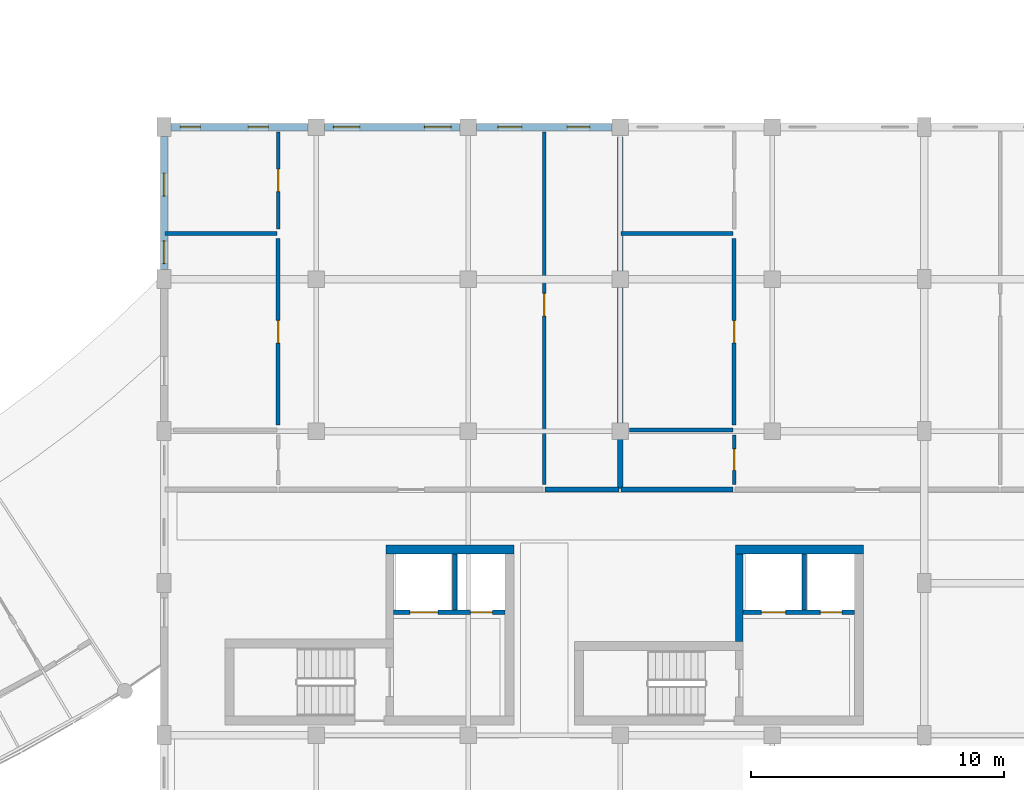
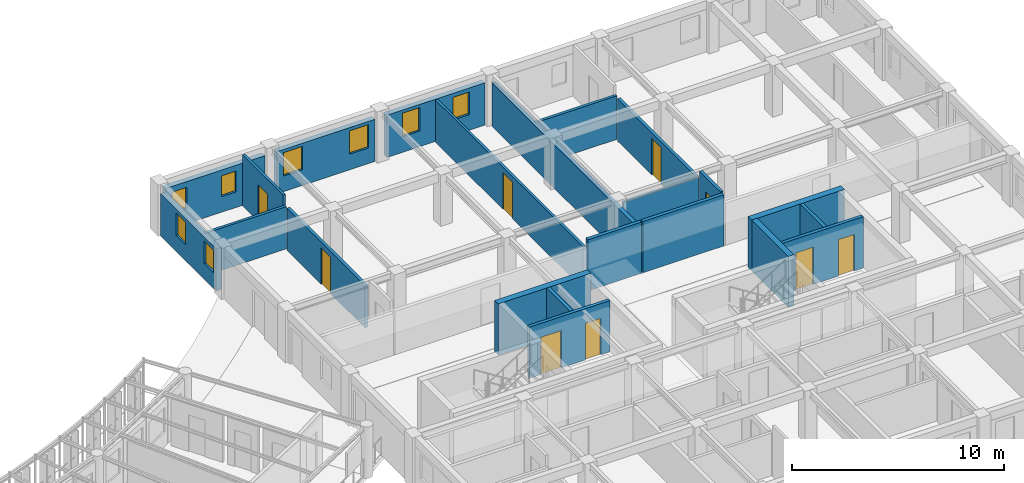
# One storey, part 65 of 100: 22 walls, 9 doors, 8 windows, 17 openings.
"""IFC4 building model written with IfcOpenShell, lengths in metres."""

from ifc_helpers import new_model, si_unit, direction, frame, frame_2d, origin, place, context, subcontext, project, spatial, rectangle, extrude, material, layer, layer_set, type_object, element, fill, save


model = new_model("IFC4")

# Units and contexts
model_context = context("Model", 3, precision=1e-05, world=origin(), true_north=direction((0.0, 1.0)))
body_context = subcontext(model_context, "Body", "Model", "MODEL_VIEW")
ifc_project = project(units=[si_unit("LENGTHUNIT", "METRE"), si_unit("AREAUNIT", "SQUARE_METRE"), si_unit("VOLUMEUNIT", "CUBIC_METRE"), si_unit("PLANEANGLEUNIT", "RADIAN"), si_unit("MASSUNIT", "GRAM", prefix="KILO"), si_unit("POWERUNIT", "WATT"), si_unit("THERMODYNAMICTEMPERATUREUNIT", "KELVIN")], contexts=[model_context])

# Site, building, storey
site_placement = place(None, origin())
site = spatial("IfcSite", under=ifc_project, at=site_placement, CompositionType="ELEMENT")
building_placement = place(site_placement, origin())
building = spatial("IfcBuilding", under=site, at=building_placement, Name="Ruvembo Vaulted Housing Court", CompositionType="ELEMENT")
storey_placement = place(building_placement, frame((0.0, 0.0, 14.10009765625)))
storey = spatial("IfcBuildingStorey", under=building, at=storey_placement, Name="L04", CompositionType="ELEMENT", Elevation=14.10009765625)

# Walls
ifc_material_1 = material(Name="Concrete C35/45", Category="concrete")
ifc_layer_1 = layer(ifc_material_1, 0.300048828125, Name="Concrete C35/45")
ifc_layer_set_1 = layer_set([ifc_layer_1], Name="Concrete C35/45")
wall_type_1 = type_object("IfcWallType", Name="WL-CORE-300", PredefinedType="SHEAR", material=ifc_layer_set_1)
wall_1_placement = place(storey_placement, frame((124.699951171875, 15.699951171875, 0.0), z_axis=(0.0, 0.0, 1.0), x_axis=(0.0, 1.0, 0.0)))
element("IfcWall", 1, at=wall_1_placement, inside=storey, type_object=wall_type_1, Name="Core C2 L04 Upper West Shear Wall", PredefinedType="SHEAR", context=body_context, shape_type="SweptSolid", body=[
    extrude(rectangle(XDim=3.449951171875, YDim=0.300048828125, at=frame_2d((1.72509765625, 0.0))), origin(), (0.0, 0.0, 1.0), 2.949951171875),
])
ifc_layer_2 = layer(ifc_material_1, 0.35009765625, Name="Concrete C35/45")
ifc_layer_set_2 = layer_set([ifc_layer_2], Name="Concrete C35/45")
wall_type_2 = type_object("IfcWallType", Name="WL-CORE-350", PredefinedType="SHEAR", material=ifc_layer_set_2)
for number, where, z_axis, x_axis, name in (
    (2, (115.800048828125, 19.324951171875, 0.0), (0.0, 0.0, 1.0), (-1.0, 0.0, 0.0), "Core C1 L04 North Shear Wall"),
    (3, (129.60009765625, 19.324951171875, 0.0), (0.0, 0.0, 1.0), (-1.0, 0.0, 0.0), "Core C2 L04 North Shear Wall"),
):
    element("IfcWall", number, at=place(storey_placement, frame(where, z_axis=z_axis, x_axis=x_axis)), inside=storey, type_object=wall_type_2, Name=name, PredefinedType="SHEAR", context=body_context, shape_type="SweptSolid", body=[
        extrude(rectangle(XDim=5.050048828125, YDim=0.35009765625, at=frame_2d((2.52490234375, 0.0))), origin(), (0.0, 0.0, 1.0), 2.949951171875),
    ])
ifc_material_2 = material(Name="Concrete Blockwork 190", Category="masonry")
ifc_layer_3 = layer(ifc_material_2, 0.18994140625, Name="Concrete Blockwork 190")
ifc_layer_set_3 = layer_set([ifc_layer_3], Name="Concrete Blockwork 190")
wall_type_3 = type_object("IfcWallType", Name="WL-CORR-190", PredefinedType="SOLIDWALL", material=ifc_layer_set_3)
wall_2_placement = place(storey_placement, frame((117.0400390625, 21.699951171875, 0.0), z_axis=(0.0, 0.0, 1.0), x_axis=(1.0, 0.0, 0.0)))
element("IfcWall", 4, at=wall_2_placement, inside=storey, type_object=wall_type_3, Name="L04 Flat C-L04-N1 Corridor Wall 2 WL-INT-L04-01226", PredefinedType="SOLIDWALL", context=body_context, shape_type="SweptSolid", body=[
    extrude(rectangle(XDim=2.919921875, YDim=0.18994140625, at=frame_2d((1.4599609375, 0.0))), origin(), (0.0, 0.0, 1.0), 2.949951171875),
])
wall_3_placement = place(storey_placement, frame((120.0400390625, 21.699951171875, 0.0), z_axis=(0.0, 0.0, 1.0), x_axis=(1.0, 0.0, 0.0)))
element("IfcWall", 5, at=wall_3_placement, inside=storey, type_object=wall_type_3, Name="L04 Flat C-L04-N2 Corridor Wall WL-INT-L04-01228", PredefinedType="SOLIDWALL", context=body_context, shape_type="SweptSolid", body=[
    extrude(rectangle(XDim=4.419921875, YDim=0.18994140625, at=frame_2d((2.2099609375, 0.0))), origin(), (0.0, 0.0, 1.0), 2.949951171875),
])
ifc_material_3 = material(Name="Acoustic Masonry Demising 220", Category="masonry")
ifc_layer_4 = layer(ifc_material_3, 0.219970703125, Name="Acoustic Masonry Demising 220")
ifc_layer_set_4 = layer_set([ifc_layer_4], Name="Acoustic Masonry Demising 220")
wall_type_4 = type_object("IfcWallType", Name="WL-DEM-200", PredefinedType="SOLIDWALL", material=ifc_layer_set_4)
wall_4_placement = place(storey_placement, frame((120.0, 21.739990234375, 0.0), z_axis=(0.0, 0.0, 1.0), x_axis=(0.0, 1.0, 0.0)))
element("IfcWall", 6, at=wall_4_placement, inside=storey, type_object=wall_type_4, Name="L04 Demising C-L04-N1 WL-INT-L04-01218", PredefinedType="SOLIDWALL", context=body_context, shape_type="SweptSolid", body=[
    extrude(rectangle(XDim=13.8701171875, YDim=0.219970703125, at=frame_2d((6.93505859375, 0.0))), origin(), (0.0, 0.0, 1.0), 2.5078125),
])

# Wall, openings, windows
ifc_material_4 = material(Name="Rendered Masonry 285", Category="masonry")
ifc_layer_5 = layer(ifc_material_4, 0.284912109375, Name="Rendered Masonry 285")
ifc_layer_set_5 = layer_set([ifc_layer_5], Name="Rendered Masonry 285")
wall_type_5 = type_object("IfcWallType", Name="WL-EXT-285", PredefinedType="STANDARD", material=ifc_layer_set_5)
wall_5_placement = place(storey_placement, frame((119.675048828125, 36.0, 0.0), z_axis=(0.0, 0.0, 1.0), x_axis=(-1.0, 0.0, 0.0)))
wall_5 = element("IfcWall", 7, at=wall_5_placement, inside=storey, type_object=wall_type_5, Name="Block C L04 Exterior Wall COURTYARD #4", PredefinedType="STANDARD", context=body_context, shape_type="SweptSolid", body=[
    extrude(rectangle(XDim=5.35009765625, YDim=0.284912109375, at=frame_2d((2.675048828125, 0.0))), origin(), (0.0, 0.0, 1.0), 2.431884765625),
])
opening_1_placement = place(wall_5_placement, frame((0.867431640625, 0.0, 0.89990234375)))
opening_1 = element("IfcOpeningElement", 8, at=opening_1_placement, cuts=wall_5, Name="Opening W04", PredefinedType="OPENING", context=body_context, shape_type="SweptSolid", body=[
    extrude(rectangle(XDim=0.89990234375, YDim=1.300048828125, at=frame_2d((0.449951171875, 0.64990234375))), frame((0.0, 0.15234375, 0.0), z_axis=(0.0, -1.0, 0.0), x_axis=(1.0, 0.0, 0.0)), (0.0, 0.0, 1.0), 0.304931640625),
])
opening_2_placement = place(wall_5_placement, frame((3.5576171875, 0.0, 0.89990234375)))
opening_2 = element("IfcOpeningElement", 9, at=opening_2_placement, cuts=wall_5, Name="Opening W07", PredefinedType="OPENING", context=body_context, shape_type="SweptSolid", body=[
    extrude(rectangle(XDim=0.949951171875, YDim=1.35009765625, at=frame_2d((0.47509765625, 0.675048828125))), frame((0.0, 0.15234375, 0.0), z_axis=(0.0, -1.0, 0.0), x_axis=(1.0, 0.0, 0.0)), (0.0, 0.0, 1.0), 0.304931640625),
])
ifc_material_5 = material(Name="Double Solar-Control Glazing in Aluminium Frame", Category="aluminium")
window_type_1 = type_object("IfcWindowType", Name="WIN-0900x1300", PartitioningType="SINGLE_PANEL", PredefinedType="WINDOW", material=ifc_material_5)
window_1_placement = place(opening_1_placement, origin())
window_1 = element("IfcWindow", 10, at=window_1_placement, inside=storey, type_object=window_type_1, Name="Block C L04 Window #1268", OverallHeight=1.300048828125, OverallWidth=0.89990234375, PartitioningType="SINGLE_PANEL", PredefinedType="WINDOW", context=body_context, shape_type="SweptSolid", body=[
    extrude(rectangle(XDim=0.89990234375, YDim=1.300048828125, at=frame_2d((0.449951171875, 0.64990234375))), frame((0.0, 0.030029296875, 0.0), z_axis=(0.0, -1.0, 0.0), x_axis=(1.0, 0.0, 0.0)), (0.0, 0.0, 1.0), 0.06005859375),
])
fill(opening_1, window_1)
window_type_2 = type_object("IfcWindowType", Name="WIN-0950x1350", PartitioningType="SINGLE_PANEL", PredefinedType="WINDOW", material=ifc_material_5)
window_2_placement = place(opening_2_placement, origin())
window_2 = element("IfcWindow", 11, at=window_2_placement, inside=storey, type_object=window_type_2, Name="Block C L04 Window #1269", OverallHeight=1.35009765625, OverallWidth=0.949951171875, PartitioningType="SINGLE_PANEL", PredefinedType="WINDOW", context=body_context, shape_type="SweptSolid", body=[
    extrude(rectangle(XDim=0.949951171875, YDim=1.35009765625, at=frame_2d((0.47509765625, 0.675048828125))), frame((0.0, 0.030029296875, 0.0), z_axis=(0.0, -1.0, 0.0), x_axis=(1.0, 0.0, 0.0)), (0.0, 0.0, 1.0), 0.06005859375),
])
fill(opening_2, window_2)

wall_6_placement = place(storey_placement, frame((113.675048828125, 36.0, 0.0), z_axis=(0.0, 0.0, 1.0), x_axis=(-1.0, 0.0, 0.0)))
wall_6 = element("IfcWall", 12, at=wall_6_placement, inside=storey, type_object=wall_type_5, Name="Block C L04 Exterior Wall COURTYARD #5", PredefinedType="STANDARD", context=body_context, shape_type="SweptSolid", body=[
    extrude(rectangle(XDim=5.35009765625, YDim=0.284912109375, at=frame_2d((2.675048828125, 0.0))), origin(), (0.0, 0.0, 1.0), 2.431884765625),
])
opening_3_placement = place(wall_6_placement, frame((0.35009765625, 0.0, 0.89990234375)))
opening_3 = element("IfcOpeningElement", 13, at=opening_3_placement, cuts=wall_6, Name="Opening W09", PredefinedType="OPENING", context=body_context, shape_type="SweptSolid", body=[
    extrude(rectangle(XDim=1.050048828125, YDim=1.35009765625, at=frame_2d((0.52490234375, 0.675048828125))), frame((0.0, 0.15234375, 0.0), z_axis=(0.0, -1.0, 0.0), x_axis=(1.0, 0.0, 0.0)), (0.0, 0.0, 1.0), 0.304931640625),
])
opening_4_placement = place(wall_6_placement, frame((3.949951171875, 0.0, 0.89990234375)))
opening_4 = element("IfcOpeningElement", 14, at=opening_4_placement, cuts=wall_6, Name="Opening W09", PredefinedType="OPENING", context=body_context, shape_type="SweptSolid", body=[
    extrude(rectangle(XDim=1.050048828125, YDim=1.35009765625, at=frame_2d((0.52490234375, 0.675048828125))), frame((0.0, 0.15234375, 0.0), z_axis=(0.0, -1.0, 0.0), x_axis=(1.0, 0.0, 0.0)), (0.0, 0.0, 1.0), 0.304931640625),
])
window_type_3 = type_object("IfcWindowType", Name="WIN-1050x1350", PartitioningType="SINGLE_PANEL", PredefinedType="WINDOW", material=ifc_material_5)
window_3_placement = place(opening_3_placement, origin())
window_3 = element("IfcWindow", 15, at=window_3_placement, inside=storey, type_object=window_type_3, Name="Block C L04 Window #1270", OverallHeight=1.35009765625, OverallWidth=1.050048828125, PartitioningType="SINGLE_PANEL", PredefinedType="WINDOW", context=body_context, shape_type="SweptSolid", body=[
    extrude(rectangle(XDim=1.050048828125, YDim=1.35009765625, at=frame_2d((0.52490234375, 0.675048828125))), frame((0.0, 0.030029296875, 0.0), z_axis=(0.0, -1.0, 0.0), x_axis=(1.0, 0.0, 0.0)), (0.0, 0.0, 1.0), 0.06005859375),
])
fill(opening_3, window_3)
window_4_placement = place(opening_4_placement, origin())
window_4 = element("IfcWindow", 16, at=window_4_placement, inside=storey, type_object=window_type_3, Name="Block C L04 Window #1271", OverallHeight=1.35009765625, OverallWidth=1.050048828125, PartitioningType="SINGLE_PANEL", PredefinedType="WINDOW", context=body_context, shape_type="SweptSolid", body=[
    extrude(rectangle(XDim=1.050048828125, YDim=1.35009765625, at=frame_2d((0.52490234375, 0.675048828125))), frame((0.0, 0.030029296875, 0.0), z_axis=(0.0, -1.0, 0.0), x_axis=(1.0, 0.0, 0.0)), (0.0, 0.0, 1.0), 0.06005859375),
])
fill(opening_4, window_4)

wall_7_placement = place(storey_placement, frame((107.675048828125, 36.0, 0.0), z_axis=(0.0, 0.0, 1.0), x_axis=(-1.0, 0.0, 0.0)))
wall_7 = element("IfcWall", 17, at=wall_7_placement, inside=storey, type_object=wall_type_5, Name="Block C L04 Exterior Wall COURTYARD #6", PredefinedType="STANDARD", context=body_context, shape_type="SweptSolid", body=[
    extrude(rectangle(XDim=5.400146484375, YDim=0.284912109375, at=frame_2d((2.7001953125, 0.0))), origin(), (0.0, 0.0, 1.0), 2.431884765625),
])
opening_5_placement = place(wall_7_placement, frame((1.56494140625, 0.0, 0.89990234375)))
opening_5 = element("IfcOpeningElement", 18, at=opening_5_placement, cuts=wall_7, Name="Opening W02", PredefinedType="OPENING", context=body_context, shape_type="SweptSolid", body=[
    extrude(rectangle(XDim=0.800048828125, YDim=1.199951171875, at=frame_2d((0.39990234375, 0.60009765625))), frame((0.0, 0.15234375, 0.0), z_axis=(0.0, -1.0, 0.0), x_axis=(1.0, 0.0, 0.0)), (0.0, 0.0, 1.0), 0.304931640625),
])
opening_6_placement = place(wall_7_placement, frame((4.25, 0.0, 0.89990234375)))
opening_6 = element("IfcOpeningElement", 19, at=opening_6_placement, cuts=wall_7, Name="Opening W02", PredefinedType="OPENING", context=body_context, shape_type="SweptSolid", body=[
    extrude(rectangle(XDim=0.800048828125, YDim=1.199951171875, at=frame_2d((0.39990234375, 0.60009765625))), frame((0.0, 0.15234375, 0.0), z_axis=(0.0, -1.0, 0.0), x_axis=(1.0, 0.0, 0.0)), (0.0, 0.0, 1.0), 0.304931640625),
])
window_type_4 = type_object("IfcWindowType", Name="WIN-0800x1200", PartitioningType="SINGLE_PANEL", PredefinedType="WINDOW", material=ifc_material_5)
window_5_placement = place(opening_5_placement, origin())
window_5 = element("IfcWindow", 20, at=window_5_placement, inside=storey, type_object=window_type_4, Name="Block C L04 Window #1272", OverallHeight=1.199951171875, OverallWidth=0.800048828125, PartitioningType="SINGLE_PANEL", PredefinedType="WINDOW", context=body_context, shape_type="SweptSolid", body=[
    extrude(rectangle(XDim=0.800048828125, YDim=1.199951171875, at=frame_2d((0.39990234375, 0.60009765625))), frame((0.0, 0.030029296875, 0.0), z_axis=(0.0, -1.0, 0.0), x_axis=(1.0, 0.0, 0.0)), (0.0, 0.0, 1.0), 0.06005859375),
])
fill(opening_5, window_5)
window_6_placement = place(opening_6_placement, origin())
window_6 = element("IfcWindow", 21, at=window_6_placement, inside=storey, type_object=window_type_4, Name="Block C L04 Window #1273", OverallHeight=1.199951171875, OverallWidth=0.800048828125, PartitioningType="SINGLE_PANEL", PredefinedType="WINDOW", context=body_context, shape_type="SweptSolid", body=[
    extrude(rectangle(XDim=0.800048828125, YDim=1.199951171875, at=frame_2d((0.39990234375, 0.60009765625))), frame((0.0, 0.030029296875, 0.0), z_axis=(0.0, -1.0, 0.0), x_axis=(1.0, 0.0, 0.0)), (0.0, 0.0, 1.0), 0.06005859375),
])
fill(opening_6, window_6)

wall_8_placement = place(storey_placement, frame((102.0, 35.625, 0.0), z_axis=(0.0, 0.0, 1.0), x_axis=(0.0, -1.0, 0.0)))
wall_8 = element("IfcWall", 22, at=wall_8_placement, inside=storey, type_object=wall_type_5, Name="Block C L04 Exterior Wall WEST #1", PredefinedType="STANDARD", context=body_context, shape_type="SweptSolid", body=[
    extrude(rectangle(XDim=5.25, YDim=0.284912109375, at=frame_2d((2.625, 0.0))), origin(), (0.0, 0.0, 1.0), 2.431884765625),
])
opening_7_placement = place(wall_8_placement, frame((1.4423828125, 0.0, 0.89990234375)))
opening_7 = element("IfcOpeningElement", 23, at=opening_7_placement, cuts=wall_8, Name="Opening W04", PredefinedType="OPENING", context=body_context, shape_type="SweptSolid", body=[
    extrude(rectangle(XDim=0.89990234375, YDim=1.300048828125, at=frame_2d((0.449951171875, 0.64990234375))), frame((0.0, 0.15234375, 0.0), z_axis=(0.0, -1.0, 0.0), x_axis=(1.0, 0.0, 0.0)), (0.0, 0.0, 1.0), 0.304931640625),
])
opening_8_placement = place(wall_8_placement, frame((4.107421875, 0.0, 0.89990234375)))
opening_8 = element("IfcOpeningElement", 24, at=opening_8_placement, cuts=wall_8, Name="Opening W04", PredefinedType="OPENING", context=body_context, shape_type="SweptSolid", body=[
    extrude(rectangle(XDim=0.89990234375, YDim=1.300048828125, at=frame_2d((0.449951171875, 0.64990234375))), frame((0.0, 0.15234375, 0.0), z_axis=(0.0, -1.0, 0.0), x_axis=(1.0, 0.0, 0.0)), (0.0, 0.0, 1.0), 0.304931640625),
])
window_7_placement = place(opening_7_placement, origin())
window_7 = element("IfcWindow", 25, at=window_7_placement, inside=storey, type_object=window_type_1, Name="Block C L04 Window #1274", OverallHeight=1.300048828125, OverallWidth=0.89990234375, PartitioningType="SINGLE_PANEL", PredefinedType="WINDOW", context=body_context, shape_type="SweptSolid", body=[
    extrude(rectangle(XDim=0.89990234375, YDim=1.300048828125, at=frame_2d((0.449951171875, 0.64990234375))), frame((0.0, 0.030029296875, 0.0), z_axis=(0.0, -1.0, 0.0), x_axis=(1.0, 0.0, 0.0)), (0.0, 0.0, 1.0), 0.06005859375),
])
fill(opening_7, window_7)
window_8_placement = place(opening_8_placement, origin())
window_8 = element("IfcWindow", 26, at=window_8_placement, inside=storey, type_object=window_type_1, Name="Block C L04 Window #1275", OverallHeight=1.300048828125, OverallWidth=0.89990234375, PartitioningType="SINGLE_PANEL", PredefinedType="WINDOW", context=body_context, shape_type="SweptSolid", body=[
    extrude(rectangle(XDim=0.89990234375, YDim=1.300048828125, at=frame_2d((0.449951171875, 0.64990234375))), frame((0.0, 0.030029296875, 0.0), z_axis=(0.0, -1.0, 0.0), x_axis=(1.0, 0.0, 0.0)), (0.0, 0.0, 1.0), 0.06005859375),
])
fill(opening_8, window_8)

# Wall, opening, door
ifc_material_6 = material(Name="Acoustic Stud Partition 135", Category="gypsum")
ifc_layer_6 = layer(ifc_material_6, 0.135009765625, Name="Acoustic Stud Partition 135")
ifc_layer_set_6 = layer_set([ifc_layer_6], Name="Acoustic Stud Partition 135")
wall_type_6 = type_object("IfcWallType", Name="WL-PART-135", PredefinedType="PARTITIONING", material=ifc_layer_set_6)
wall_9_placement = place(storey_placement, frame((106.5, 31.989990234375, 0.0), z_axis=(0.0, 0.0, 1.0), x_axis=(0.0, 1.0, 0.0)))
wall_9 = element("IfcWall", 27, at=wall_9_placement, inside=storey, type_object=wall_type_6, Name="L04 Flat C-L04-N1 Bedroom 1 WL-INT-L04-01221", PredefinedType="PARTITIONING", context=body_context, shape_type="SweptSolid", body=[
    extrude(rectangle(XDim=3.820068359375, YDim=0.135009765625, at=frame_2d((1.91015625, 0.0))), origin(), (0.0, 0.0, 1.0), 2.949951171875),
])
opening_9_placement = place(wall_9_placement, frame((1.469970703125, 0.0, 0.0)))
opening_9 = element("IfcOpeningElement", 28, at=opening_9_placement, cuts=wall_9, Name="Opening ID3", PredefinedType="OPENING", context=body_context, shape_type="SweptSolid", body=[
    extrude(rectangle(XDim=0.8798828125, YDim=2.10009765625, at=frame_2d((0.43994140625, 1.050048828125))), frame((0.0, 0.077392578125, 0.0), z_axis=(0.0, -1.0, 0.0), x_axis=(1.0, 0.0, 0.0)), (0.0, 0.0, 1.0), 0.155029296875),
])
ifc_material_7 = material(Name="FSC Hardwood and Engineered Timber", Category="wood")
door_type_1 = type_object("IfcDoorType", Name="DR-ROOM-0880x2100", OperationType="NOTDEFINED", PredefinedType="DOOR", material=ifc_material_7)
door_1_placement = place(opening_9_placement, origin())
door_1 = element("IfcDoor", 29, at=door_1_placement, inside=storey, type_object=door_type_1, Name="L04 Flat C-L04-N1 Bedroom 1 Door DR-INT-L04-00681", OperationType="SINGLE_SWING_LEFT", OverallHeight=2.10009765625, OverallWidth=0.8798828125, PredefinedType="DOOR", context=body_context, shape_type="SweptSolid", body=[
    extrude(rectangle(XDim=0.8798828125, YDim=2.10009765625, at=frame_2d((0.43994140625, 1.050048828125))), frame((0.0, 0.02490234375, 0.0), z_axis=(0.0, -1.0, 0.0), x_axis=(1.0, 0.0, 0.0)), (0.0, 0.0, 1.0), 0.050048828125),
])
fill(opening_9, door_1)

wall_10_placement = place(storey_placement, frame((117.0, 21.889892578125, 0.0), z_axis=(0.0, 0.0, 1.0), x_axis=(0.0, 1.0, 0.0)))
wall_10 = element("IfcWall", 30, at=wall_10_placement, inside=storey, type_object=wall_type_6, Name="L04 Flat C-L04-N1 Bedroom 2 WL-INT-L04-01227", PredefinedType="PARTITIONING", context=body_context, shape_type="SweptSolid", body=[
    extrude(rectangle(XDim=13.920166015625, YDim=0.135009765625, at=frame_2d((6.9599609375, 0.0))), origin(), (0.0, 0.0, 1.0), 2.431884765625),
])
opening_10_placement = place(wall_10_placement, frame((6.64990234375, 0.0, 0.0)))
opening_10 = element("IfcOpeningElement", 31, at=opening_10_placement, cuts=wall_10, Name="Opening ID1", PredefinedType="OPENING", context=body_context, shape_type="SweptSolid", body=[
    extrude(rectangle(XDim=0.89990234375, YDim=2.10009765625, at=frame_2d((0.449951171875, 1.050048828125))), frame((0.0, 0.077392578125, 0.0), z_axis=(0.0, -1.0, 0.0), x_axis=(1.0, 0.0, 0.0)), (0.0, 0.0, 1.0), 0.155029296875),
])
door_type_2 = type_object("IfcDoorType", Name="DR-ROOM-0900x2100", OperationType="NOTDEFINED", PredefinedType="DOOR", material=ifc_material_7)
door_2_placement = place(opening_10_placement, origin())
door_2 = element("IfcDoor", 32, at=door_2_placement, inside=storey, type_object=door_type_2, Name="L04 Flat C-L04-N1 Bedroom 2 Door DR-INT-L04-00684", OperationType="SINGLE_SWING_RIGHT", OverallHeight=2.10009765625, OverallWidth=0.89990234375, PredefinedType="DOOR", context=body_context, shape_type="SweptSolid", body=[
    extrude(rectangle(XDim=0.89990234375, YDim=2.10009765625, at=frame_2d((0.449951171875, 1.050048828125))), frame((0.0, 0.02490234375, 0.0), z_axis=(0.0, -1.0, 0.0), x_axis=(1.0, 0.0, 0.0)), (0.0, 0.0, 1.0), 0.050048828125),
])
fill(opening_10, door_2)

# Wall
ifc_material_8 = material(Name="Moisture-Resistant Wet Partition 150", Category="gypsum")
ifc_layer_7 = layer(ifc_material_8, 0.14990234375, Name="Moisture-Resistant Wet Partition 150")
ifc_layer_set_7 = layer_set([ifc_layer_7], Name="Moisture-Resistant Wet Partition 150")
wall_type_7 = type_object("IfcWallType", Name="WL-PART-150", PredefinedType="PARTITIONING", material=ifc_layer_set_7)
wall_11_placement = place(storey_placement, frame((102.0400390625, 31.800048828125, 0.0), z_axis=(0.0, 0.0, 1.0), x_axis=(1.0, 0.0, 0.0)))
element("IfcWall", 33, at=wall_11_placement, inside=storey, type_object=wall_type_7, Name="L04 Flat C-L04-N1 Wet Wall 1 WL-INT-L04-01224", PredefinedType="PARTITIONING", context=body_context, shape_type="SweptSolid", body=[
    extrude(rectangle(XDim=4.419921875, YDim=0.14990234375, at=frame_2d((2.2099609375, 0.0))), origin(), (0.0, 0.0, 1.0), 2.431884765625),
])

# Wall, opening, door
wall_12_placement = place(storey_placement, frame((124.5, 21.889892578125, 0.0), z_axis=(0.0, 0.0, 1.0), x_axis=(0.0, 1.0, 0.0)))
wall_12 = element("IfcWall", 34, at=wall_12_placement, inside=storey, type_object=wall_type_7, Name="L04 Flat C-L04-N2 Bathroom WL-INT-L04-01232", PredefinedType="PARTITIONING", context=body_context, shape_type="SweptSolid", body=[
    extrude(rectangle(XDim=1.97021484375, YDim=0.14990234375, at=frame_2d((0.985107421875, 0.0))), origin(), (0.0, 0.0, 1.0), 2.949951171875),
])
opening_11_placement = place(wall_12_placement, frame((0.56005859375, 0.0, 0.0)))
opening_11 = element("IfcOpeningElement", 35, at=opening_11_placement, cuts=wall_12, Name="Opening ID2", PredefinedType="OPENING", context=body_context, shape_type="SweptSolid", body=[
    extrude(rectangle(XDim=0.85009765625, YDim=2.10009765625, at=frame_2d((0.425048828125, 1.050048828125))), frame((0.0, 0.0849609375, 0.0), z_axis=(0.0, -1.0, 0.0), x_axis=(1.0, 0.0, 0.0)), (0.0, 0.0, 1.0), 0.169921875),
])
door_type_3 = type_object("IfcDoorType", Name="DR-WET-0850x2100", OperationType="NOTDEFINED", PredefinedType="DOOR", material=ifc_material_7)
door_3_placement = place(opening_11_placement, origin())
door_3 = element("IfcDoor", 36, at=door_3_placement, inside=storey, type_object=door_type_3, Name="L04 Flat C-L04-N2 Bathroom Door DR-INT-L04-00688", OperationType="SINGLE_SWING_RIGHT", OverallHeight=2.10009765625, OverallWidth=0.85009765625, PredefinedType="DOOR", context=body_context, shape_type="SweptSolid", body=[
    extrude(rectangle(XDim=0.85009765625, YDim=2.10009765625, at=frame_2d((0.425048828125, 1.050048828125))), frame((0.0, 0.02490234375, 0.0), z_axis=(0.0, -1.0, 0.0), x_axis=(1.0, 0.0, 0.0)), (0.0, 0.0, 1.0), 0.050048828125),
])
fill(opening_11, door_3)

# Walls
wall_13_placement = place(storey_placement, frame((120.0400390625, 31.800048828125, 0.0), z_axis=(0.0, 0.0, 1.0), x_axis=(1.0, 0.0, 0.0)))
element("IfcWall", 37, at=wall_13_placement, inside=storey, type_object=wall_type_7, Name="L04 Flat C-L04-N2 Wet Wall 1 WL-INT-L04-01233", PredefinedType="PARTITIONING", context=body_context, shape_type="SweptSolid", body=[
    extrude(rectangle(XDim=4.419921875, YDim=0.14990234375, at=frame_2d((2.2099609375, 0.0))), origin(), (0.0, 0.0, 1.0), 2.5078125),
])
wall_14_placement = place(storey_placement, frame((120.360107421875, 24.050048828125, 0.0), z_axis=(0.0, 0.0, 1.0), x_axis=(1.0, 0.0, 0.0)))
element("IfcWall", 38, at=wall_14_placement, inside=storey, type_object=wall_type_7, Name="L04 Flat C-L04-N2 Wet Wall 2 WL-INT-L04-01234", PredefinedType="PARTITIONING", context=body_context, shape_type="SweptSolid", body=[
    extrude(rectangle(XDim=4.099853515625, YDim=0.14990234375, at=frame_2d((2.0498046875, 0.0))), origin(), (0.0, 0.0, 1.0), 2.5078125),
])

# Wall, opening, door
ifc_material_9 = material(Name="Acoustic Service Chase Wall 160", Category="gypsum")
ifc_layer_8 = layer(ifc_material_9, 0.159912109375, Name="Acoustic Service Chase Wall 160")
ifc_layer_set_8 = layer_set([ifc_layer_8], Name="Acoustic Service Chase Wall 160")
wall_type_8 = type_object("IfcWallType", Name="WL-PLUMB-160", PredefinedType="PLUMBINGWALL", material=ifc_layer_set_8)
wall_15_placement = place(storey_placement, frame((106.5, 24.239990234375, 0.0), z_axis=(0.0, 0.0, 1.0), x_axis=(0.0, 1.0, 0.0)))
wall_15 = element("IfcWall", 39, at=wall_15_placement, inside=storey, type_object=wall_type_8, Name="L04 Flat C-L04-N1 Kitchen WL-INT-L04-01222", PredefinedType="PLUMBINGWALL", context=body_context, shape_type="SweptSolid", body=[
    extrude(rectangle(XDim=7.3701171875, YDim=0.159912109375, at=frame_2d((3.68505859375, 0.0))), origin(), (0.0, 0.0, 1.0), 2.431884765625),
])
opening_12_placement = place(wall_15_placement, frame((3.235107421875, 0.0, 0.0)))
opening_12 = element("IfcOpeningElement", 40, at=opening_12_placement, cuts=wall_15, Name="Opening ID1", PredefinedType="OPENING", context=body_context, shape_type="SweptSolid", body=[
    extrude(rectangle(XDim=0.89990234375, YDim=2.10009765625, at=frame_2d((0.449951171875, 1.050048828125))), frame((0.0, 0.08984375, 0.0), z_axis=(0.0, -1.0, 0.0), x_axis=(1.0, 0.0, 0.0)), (0.0, 0.0, 1.0), 0.179931640625),
])
door_4_placement = place(opening_12_placement, origin())
door_4 = element("IfcDoor", 41, at=door_4_placement, inside=storey, type_object=door_type_2, Name="L04 Flat C-L04-N1 Kitchen Door DR-INT-L04-00682", OperationType="SINGLE_SWING_RIGHT", OverallHeight=2.10009765625, OverallWidth=0.89990234375, PredefinedType="DOOR", context=body_context, shape_type="SweptSolid", body=[
    extrude(rectangle(XDim=0.89990234375, YDim=2.10009765625, at=frame_2d((0.449951171875, 1.050048828125))), frame((0.0, 0.02490234375, 0.0), z_axis=(0.0, -1.0, 0.0), x_axis=(1.0, 0.0, 0.0)), (0.0, 0.0, 1.0), 0.050048828125),
])
fill(opening_12, door_4)

wall_16_placement = place(storey_placement, frame((124.5, 24.239990234375, 0.0), z_axis=(0.0, 0.0, 1.0), x_axis=(0.0, 1.0, 0.0)))
wall_16 = element("IfcWall", 42, at=wall_16_placement, inside=storey, type_object=wall_type_8, Name="L04 Flat C-L04-N2 Kitchen WL-INT-L04-01231", PredefinedType="PLUMBINGWALL", context=body_context, shape_type="SweptSolid", body=[
    extrude(rectangle(XDim=7.3701171875, YDim=0.159912109375, at=frame_2d((3.68505859375, 0.0))), origin(), (0.0, 0.0, 1.0), 2.431884765625),
])
opening_13_placement = place(wall_16_placement, frame((3.2451171875, 0.0, 0.0)))
opening_13 = element("IfcOpeningElement", 43, at=opening_13_placement, cuts=wall_16, Name="Opening ID3", PredefinedType="OPENING", context=body_context, shape_type="SweptSolid", body=[
    extrude(rectangle(XDim=0.8798828125, YDim=2.10009765625, at=frame_2d((0.43994140625, 1.050048828125))), frame((0.0, 0.08984375, 0.0), z_axis=(0.0, -1.0, 0.0), x_axis=(1.0, 0.0, 0.0)), (0.0, 0.0, 1.0), 0.179931640625),
])
door_5_placement = place(opening_13_placement, origin())
door_5 = element("IfcDoor", 44, at=door_5_placement, inside=storey, type_object=door_type_1, Name="L04 Flat C-L04-N2 Kitchen Door DR-INT-L04-00687", OperationType="SINGLE_SWING_LEFT", OverallHeight=2.10009765625, OverallWidth=0.8798828125, PredefinedType="DOOR", context=body_context, shape_type="SweptSolid", body=[
    extrude(rectangle(XDim=0.8798828125, YDim=2.10009765625, at=frame_2d((0.43994140625, 1.050048828125))), frame((0.0, 0.02490234375, 0.0), z_axis=(0.0, -1.0, 0.0), x_axis=(1.0, 0.0, 0.0)), (0.0, 0.0, 1.0), 0.050048828125),
])
fill(opening_13, door_5)

# Wall, openings, doors
ifc_material_10 = material(Name="Fire-Rated Masonry Shaft 180", Category="masonry")
ifc_layer_9 = layer(ifc_material_10, 0.179931640625, Name="Fire-Rated Masonry Shaft 180")
ifc_layer_set_9 = layer_set([ifc_layer_9], Name="Fire-Rated Masonry Shaft 180")
wall_type_9 = type_object("IfcWallType", Name="WL-SHAFT-180", PredefinedType="SOLIDWALL", material=ifc_layer_set_9)
wall_17_placement = place(storey_placement, frame((111.050048828125, 16.85009765625, 0.0), z_axis=(0.0, 0.0, 1.0), x_axis=(1.0, 0.0, 0.0)))
wall_17 = element("IfcWall", 45, at=wall_17_placement, inside=storey, type_object=wall_type_9, Name="Core C1 L04 Lift and Riser Front Wall", PredefinedType="SOLIDWALL", context=body_context, shape_type="SweptSolid", body=[
    extrude(rectangle(XDim=4.39990234375, YDim=0.179931640625, at=frame_2d((2.199951171875, 0.0))), origin(), (0.0, 0.0, 1.0), 2.949951171875),
])
opening_14_placement = place(wall_17_placement, frame((0.64990234375, 0.0, 0.0)))
opening_14 = element("IfcOpeningElement", 46, at=opening_14_placement, cuts=wall_17, Name="Opening LD-LP-C1-L04", PredefinedType="OPENING", context=body_context, shape_type="SweptSolid", body=[
    extrude(rectangle(XDim=1.10009765625, YDim=2.14990234375, at=frame_2d((0.550048828125, 1.074951171875))), frame((0.0, 0.099853515625, 0.0), z_axis=(0.0, -1.0, 0.0), x_axis=(1.0, 0.0, 0.0)), (0.0, 0.0, 1.0), 0.199951171875),
])
opening_15_placement = place(wall_17_placement, frame((3.050048828125, 0.0, 0.0)))
opening_15 = element("IfcOpeningElement", 47, at=opening_15_placement, cuts=wall_17, Name="Opening RD1", PredefinedType="OPENING", context=body_context, shape_type="SweptSolid", body=[
    extrude(rectangle(XDim=0.85009765625, YDim=2.10009765625, at=frame_2d((0.425048828125, 1.050048828125))), frame((0.0, 0.099853515625, 0.0), z_axis=(0.0, -1.0, 0.0), x_axis=(1.0, 0.0, 0.0)), (0.0, 0.0, 1.0), 0.199951171875),
])
ifc_material_11 = material(Name="Brushed Stainless Steel 304", Category="steel")
door_type_4 = type_object("IfcDoorType", Name="DR-LIFT-1100x2150", OperationType="NOTDEFINED", PredefinedType="DOOR", material=ifc_material_11)
door_6_placement = place(opening_14_placement, origin())
door_6 = element("IfcDoor", 48, at=door_6_placement, inside=storey, type_object=door_type_4, Name="Lift LP-C1 L04 Sliding Landing Door", OperationType="SLIDING_TO_LEFT", OverallHeight=2.14990234375, OverallWidth=1.10009765625, PredefinedType="DOOR", context=body_context, shape_type="SweptSolid", body=[
    extrude(rectangle(XDim=1.10009765625, YDim=2.14990234375, at=frame_2d((0.550048828125, 1.074951171875))), frame((0.0, 0.02490234375, 0.0), z_axis=(0.0, -1.0, 0.0), x_axis=(1.0, 0.0, 0.0)), (0.0, 0.0, 1.0), 0.050048828125),
])
fill(opening_14, door_6)
ifc_material_12 = material(Name="Galvanised Painted Steel", Category="steel")
door_type_5 = type_object("IfcDoorType", Name="DR-RISER-0850x2100", OperationType="NOTDEFINED", PredefinedType="DOOR", material=ifc_material_12)
door_7_placement = place(opening_15_placement, frame((0.85009765625, 0.0, 0.0), z_axis=(0.0, 0.0, 1.0), x_axis=(-1.0, 0.0, 0.0)))
door_7 = element("IfcDoor", 49, at=door_7_placement, inside=storey, type_object=door_type_5, Name="Core C1 L04 Service Riser Door", OperationType="SINGLE_SWING_RIGHT", OverallHeight=2.10009765625, OverallWidth=0.85009765625, PredefinedType="DOOR", context=body_context, shape_type="SweptSolid", body=[
    extrude(rectangle(XDim=0.85009765625, YDim=2.10009765625, at=frame_2d((0.425048828125, 1.050048828125))), frame((0.0, 0.02490234375, 0.0), z_axis=(0.0, -1.0, 0.0), x_axis=(1.0, 0.0, 0.0)), (0.0, 0.0, 1.0), 0.050048828125),
])
fill(opening_15, door_7)

# Wall
wall_18_placement = place(storey_placement, frame((113.469970703125, 16.93994140625, 0.0), z_axis=(0.0, 0.0, 1.0), x_axis=(0.0, 1.0, 0.0)))
element("IfcWall", 50, at=wall_18_placement, inside=storey, type_object=wall_type_9, Name="Core C1 L04 Shaft-Riser Divider Wall", PredefinedType="SOLIDWALL", context=body_context, shape_type="SweptSolid", body=[
    extrude(rectangle(XDim=2.2099609375, YDim=0.179931640625, at=frame_2d((1.10498046875, 0.0))), origin(), (0.0, 0.0, 1.0), 2.949951171875),
])

# Wall, openings, doors
wall_19_placement = place(storey_placement, frame((124.85009765625, 16.85009765625, 0.0), z_axis=(0.0, 0.0, 1.0), x_axis=(1.0, 0.0, 0.0)))
wall_19 = element("IfcWall", 51, at=wall_19_placement, inside=storey, type_object=wall_type_9, Name="Core C2 L04 Lift and Riser Front Wall", PredefinedType="SOLIDWALL", context=body_context, shape_type="SweptSolid", body=[
    extrude(rectangle(XDim=4.39990234375, YDim=0.179931640625, at=frame_2d((2.199951171875, 0.0))), origin(), (0.0, 0.0, 1.0), 2.949951171875),
])
opening_16_placement = place(wall_19_placement, frame((0.72509765625, 0.0, 0.0)))
opening_16 = element("IfcOpeningElement", 52, at=opening_16_placement, cuts=wall_19, Name="Opening LD-LP-C2-L04", PredefinedType="OPENING", context=body_context, shape_type="SweptSolid", body=[
    extrude(rectangle(XDim=0.949951171875, YDim=2.14990234375, at=frame_2d((0.47509765625, 1.074951171875))), frame((0.0, 0.099853515625, 0.0), z_axis=(0.0, -1.0, 0.0), x_axis=(1.0, 0.0, 0.0)), (0.0, 0.0, 1.0), 0.199951171875),
])
opening_17_placement = place(wall_19_placement, frame((3.050048828125, 0.0, 0.0)))
opening_17 = element("IfcOpeningElement", 53, at=opening_17_placement, cuts=wall_19, Name="Opening RD1", PredefinedType="OPENING", context=body_context, shape_type="SweptSolid", body=[
    extrude(rectangle(XDim=0.85009765625, YDim=2.10009765625, at=frame_2d((0.425048828125, 1.050048828125))), frame((0.0, 0.099853515625, 0.0), z_axis=(0.0, -1.0, 0.0), x_axis=(1.0, 0.0, 0.0)), (0.0, 0.0, 1.0), 0.199951171875),
])
door_type_6 = type_object("IfcDoorType", Name="DR-LIFT-0950x2150", OperationType="NOTDEFINED", PredefinedType="DOOR", material=ifc_material_11)
door_8_placement = place(opening_16_placement, origin())
door_8 = element("IfcDoor", 54, at=door_8_placement, inside=storey, type_object=door_type_6, Name="Lift LP-C2 L04 Sliding Landing Door", OperationType="SLIDING_TO_LEFT", OverallHeight=2.14990234375, OverallWidth=0.949951171875, PredefinedType="DOOR", context=body_context, shape_type="SweptSolid", body=[
    extrude(rectangle(XDim=0.949951171875, YDim=2.14990234375, at=frame_2d((0.47509765625, 1.074951171875))), frame((0.0, 0.02490234375, 0.0), z_axis=(0.0, -1.0, 0.0), x_axis=(1.0, 0.0, 0.0)), (0.0, 0.0, 1.0), 0.050048828125),
])
fill(opening_16, door_8)
door_9_placement = place(opening_17_placement, frame((0.85009765625, 0.0, 0.0), z_axis=(0.0, 0.0, 1.0), x_axis=(-1.0, 0.0, 0.0)))
door_9 = element("IfcDoor", 55, at=door_9_placement, inside=storey, type_object=door_type_5, Name="Core C2 L04 Service Riser Door", OperationType="SINGLE_SWING_LEFT", OverallHeight=2.10009765625, OverallWidth=0.85009765625, PredefinedType="DOOR", context=body_context, shape_type="SweptSolid", body=[
    extrude(rectangle(XDim=0.85009765625, YDim=2.10009765625, at=frame_2d((0.425048828125, 1.050048828125))), frame((0.0, 0.02490234375, 0.0), z_axis=(0.0, -1.0, 0.0), x_axis=(1.0, 0.0, 0.0)), (0.0, 0.0, 1.0), 0.050048828125),
])
fill(opening_17, door_9)

# Wall
wall_20_placement = place(storey_placement, frame((127.27001953125, 16.93994140625, 0.0), z_axis=(0.0, 0.0, 1.0), x_axis=(0.0, 1.0, 0.0)))
element("IfcWall", 56, at=wall_20_placement, inside=storey, type_object=wall_type_9, Name="Core C2 L04 Shaft-Riser Divider Wall", PredefinedType="SOLIDWALL", context=body_context, shape_type="SweptSolid", body=[
    extrude(rectangle(XDim=2.2099609375, YDim=0.179931640625, at=frame_2d((1.10498046875, 0.0))), origin(), (0.0, 0.0, 1.0), 2.949951171875),
])

save(model, "model.ifc")
